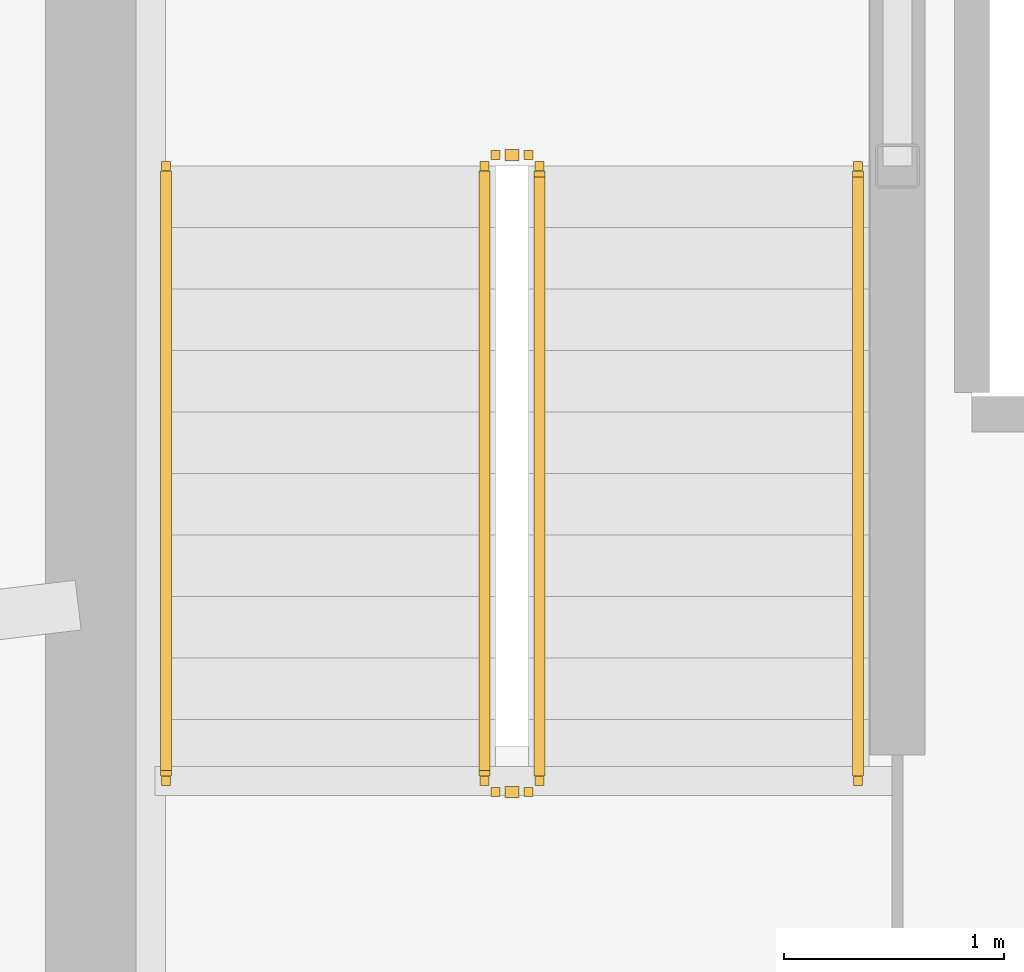
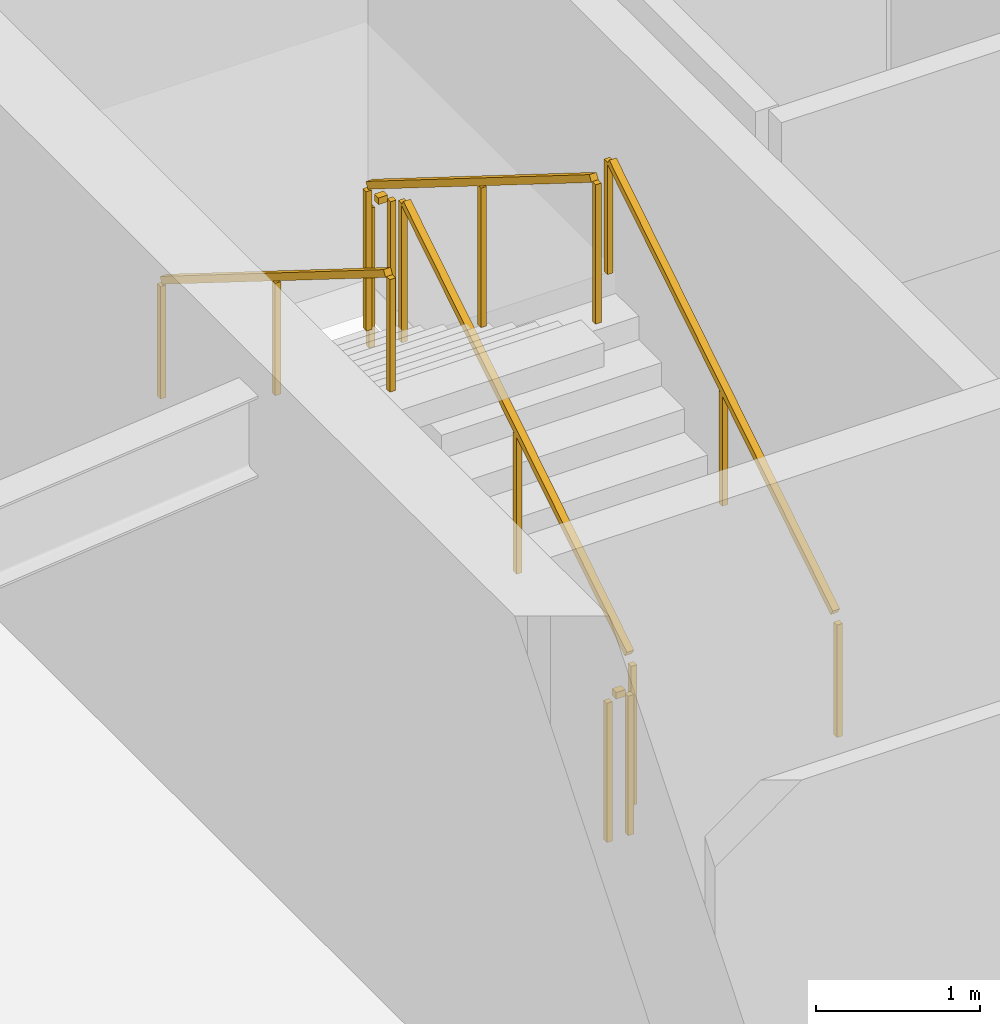
# One storey, part 25 of 30: 6 railings.
"""IFC4 building model written with IfcOpenShell, lengths in metres."""

from ifc_helpers import new_model, si_unit, direction, frame, origin, origin_2d, place, context, subcontext, project, spatial, rectangle, extrude, material, type_object, element, save


model = new_model("IFC4")

# Units and contexts
model_context = context("Model", 3, precision=1e-05, world=origin(), true_north=direction((0.0, 1.0)))
body_context = subcontext(model_context, "Body", "Model", "MODEL_VIEW")
ifc_project = project(units=[si_unit("LENGTHUNIT", "METRE"), si_unit("AREAUNIT", "SQUARE_METRE"), si_unit("VOLUMEUNIT", "CUBIC_METRE"), si_unit("PLANEANGLEUNIT", "RADIAN"), si_unit("MASSUNIT", "GRAM", prefix="KILO")], contexts=[model_context])

# Site, building, storey
site_placement = place(None, origin())
site = spatial("IfcSite", under=ifc_project, at=site_placement, CompositionType="ELEMENT")
building_placement = place(site_placement, origin())
building = spatial("IfcBuilding", under=site, at=building_placement, Name="Kazma Halo Residences", CompositionType="ELEMENT")
storey_placement = place(building_placement, frame((0.0, 0.0, 294.449951171875)))
storey = spatial("IfcBuildingStorey", under=building, at=storey_placement, Name="L74", CompositionType="ELEMENT", Elevation=294.449951171875)

# Railings
ifc_material_1 = material(Name="Painted Steel S355", Category="steel")
railing_type_1 = type_object("IfcRailingType", Name="RLG-STAIR-GRD-1100", PredefinedType="GUARDRAIL", material=ifc_material_1)
railing_1_placement = place(storey_placement, frame((39.550048828125, 39.949951171875, 0.175048828125)))
element("IfcRailing", 1, at=railing_1_placement, inside=storey, type_object=railing_type_1, Name="L74 ST-01 stair guard 1", PredefinedType="GUARDRAIL", context=body_context, shape_type="SweptSolid", body=[
    extrude(rectangle(XDim=0.050048828125, YDim=0.050048828125, at=origin_2d()), frame((0.0, 0.0361328125, 1.09765625), z_axis=(0.0, 0.848002457836, 0.529992293815), x_axis=(-1.0, 0.0, 0.0)), (0.0, 0.0, 1.0), 3.216796875),
    extrude(rectangle(XDim=0.0400390625, YDim=0.0400390625, at=origin_2d()), origin(), (0.0, 0.0, 1.0), 1.0380859375),
    extrude(rectangle(XDim=0.0400390625, YDim=0.0400390625, at=origin_2d()), frame((0.0, 1.39990234375, 0.875)), (0.0, 0.0, 1.0), 1.0380859375),
    extrude(rectangle(XDim=0.0400390625, YDim=0.0400390625, at=origin_2d()), frame((0.0, 2.800048828125, 1.75)), (0.0, 0.0, 1.0), 1.0380859375),
])
railing_2_placement = place(storey_placement, frame((39.5, 42.800048828125, 1.925048828125)))
element("IfcRailing", 2, at=railing_2_placement, inside=storey, type_object=railing_type_1, Name="L74 ST-01 stair guard 2", PredefinedType="GUARDRAIL", context=body_context, shape_type="SweptSolid", body=[
    extrude(rectangle(XDim=0.050048828125, YDim=0.050048828125, at=origin_2d()), frame((-0.04248046875, 0.0, 1.0751953125), z_axis=(-1.0, 0.0, 0.0), x_axis=(0.0, -1.0, 0.0)), (0.0, 0.0, 1.0), 0.06494140625),
    extrude(rectangle(XDim=0.0400390625, YDim=0.0400390625, at=origin_2d()), origin(), (0.0, 0.0, 1.0), 1.0380859375),
    extrude(rectangle(XDim=0.0400390625, YDim=0.0400390625, at=origin_2d()), frame((-0.14990234375, 0.0, 0.0)), (0.0, 0.0, 1.0), 1.0380859375),
])
railing_3_placement = place(storey_placement, frame((39.300048828125, 42.75, 2.10009765625)))
element("IfcRailing", 3, at=railing_3_placement, inside=storey, type_object=railing_type_1, Name="L74 ST-01 stair guard 3", PredefinedType="GUARDRAIL", context=body_context, shape_type="SweptSolid", body=[
    extrude(rectangle(XDim=0.050048828125, YDim=0.050048828125, at=origin_2d()), frame((0.0, -0.0361328125, 1.09765625), z_axis=(0.0, -0.848002457836, 0.529992293815), x_axis=(1.0, 0.0, 0.0)), (0.0, 0.0, 1.0), 3.216796875),
    extrude(rectangle(XDim=0.0400390625, YDim=0.0400390625, at=origin_2d()), origin(), (0.0, 0.0, 1.0), 1.0380859375),
    extrude(rectangle(XDim=0.0400390625, YDim=0.0400390625, at=origin_2d()), frame((0.0, -1.39990234375, 0.875)), (0.0, 0.0, 1.0), 1.0380859375),
    extrude(rectangle(XDim=0.0400390625, YDim=0.0400390625, at=origin_2d()), frame((0.0, -2.800048828125, 1.75)), (0.0, 0.0, 1.0), 1.0380859375),
])
railing_4_placement = place(storey_placement, frame((39.5, 39.89990234375, 0.0)))
element("IfcRailing", 4, at=railing_4_placement, inside=storey, type_object=railing_type_1, Name="L74 ST-01 stair guard 4", PredefinedType="GUARDRAIL", context=body_context, shape_type="SweptSolid", body=[
    extrude(rectangle(XDim=0.050048828125, YDim=0.050048828125, at=origin_2d()), frame((-0.04248046875, 0.0, 1.0751953125), z_axis=(-1.0, 0.0, 0.0), x_axis=(0.0, -1.0, 0.0)), (0.0, 0.0, 1.0), 0.06494140625),
    extrude(rectangle(XDim=0.0400390625, YDim=0.0400390625, at=origin_2d()), origin(), (0.0, 0.0, 1.0), 1.0380859375),
    extrude(rectangle(XDim=0.0400390625, YDim=0.0400390625, at=origin_2d()), frame((-0.14990234375, 0.0, 0.0)), (0.0, 0.0, 1.0), 1.0380859375),
])
ifc_material_2 = material(Name="Brushed Stainless Steel", Category="steel")
railing_type_2 = type_object("IfcRailingType", Name="RLG-STAIR-HND-900", PredefinedType="HANDRAIL", material=ifc_material_2)
railing_5_placement = place(storey_placement, frame((41.0, 39.949951171875, 0.175048828125)))
element("IfcRailing", 5, at=railing_5_placement, inside=storey, type_object=railing_type_2, Name="L74 ST-01 stair handrail 1", PredefinedType="HANDRAIL", context=body_context, shape_type="SweptSolid", body=[
    extrude(rectangle(XDim=0.050048828125, YDim=0.050048828125, at=origin_2d()), frame((0.0, 0.0361328125, 0.8974609375), z_axis=(0.0, 0.848002457836, 0.529992293815), x_axis=(-1.0, 0.0, 0.0)), (0.0, 0.0, 1.0), 3.216796875),
    extrude(rectangle(XDim=0.0400390625, YDim=0.0400390625, at=origin_2d()), origin(), (0.0, 0.0, 1.0), 0.837890625),
    extrude(rectangle(XDim=0.0400390625, YDim=0.0400390625, at=origin_2d()), frame((0.0, 1.39990234375, 0.875)), (0.0, 0.0, 1.0), 0.837890625),
    extrude(rectangle(XDim=0.0400390625, YDim=0.0400390625, at=origin_2d()), frame((0.0, 2.800048828125, 1.75)), (0.0, 0.0, 1.0), 0.837890625),
])
railing_6_placement = place(storey_placement, frame((37.85009765625, 42.75, 2.10009765625)))
element("IfcRailing", 6, at=railing_6_placement, inside=storey, type_object=railing_type_2, Name="L74 ST-01 stair handrail 2", PredefinedType="HANDRAIL", context=body_context, shape_type="SweptSolid", body=[
    extrude(rectangle(XDim=0.050048828125, YDim=0.050048828125, at=origin_2d()), frame((0.0, -0.0361328125, 0.8974609375), z_axis=(0.0, -0.848002457836, 0.529992293815), x_axis=(1.0, 0.0, 0.0)), (0.0, 0.0, 1.0), 3.216796875),
    extrude(rectangle(XDim=0.0400390625, YDim=0.0400390625, at=origin_2d()), origin(), (0.0, 0.0, 1.0), 0.837890625),
    extrude(rectangle(XDim=0.0400390625, YDim=0.0400390625, at=origin_2d()), frame((0.0, -1.39990234375, 0.875)), (0.0, 0.0, 1.0), 0.837890625),
    extrude(rectangle(XDim=0.0400390625, YDim=0.0400390625, at=origin_2d()), frame((0.0, -2.800048828125, 1.75)), (0.0, 0.0, 1.0), 0.837890625),
])

save(model, "model.ifc")
